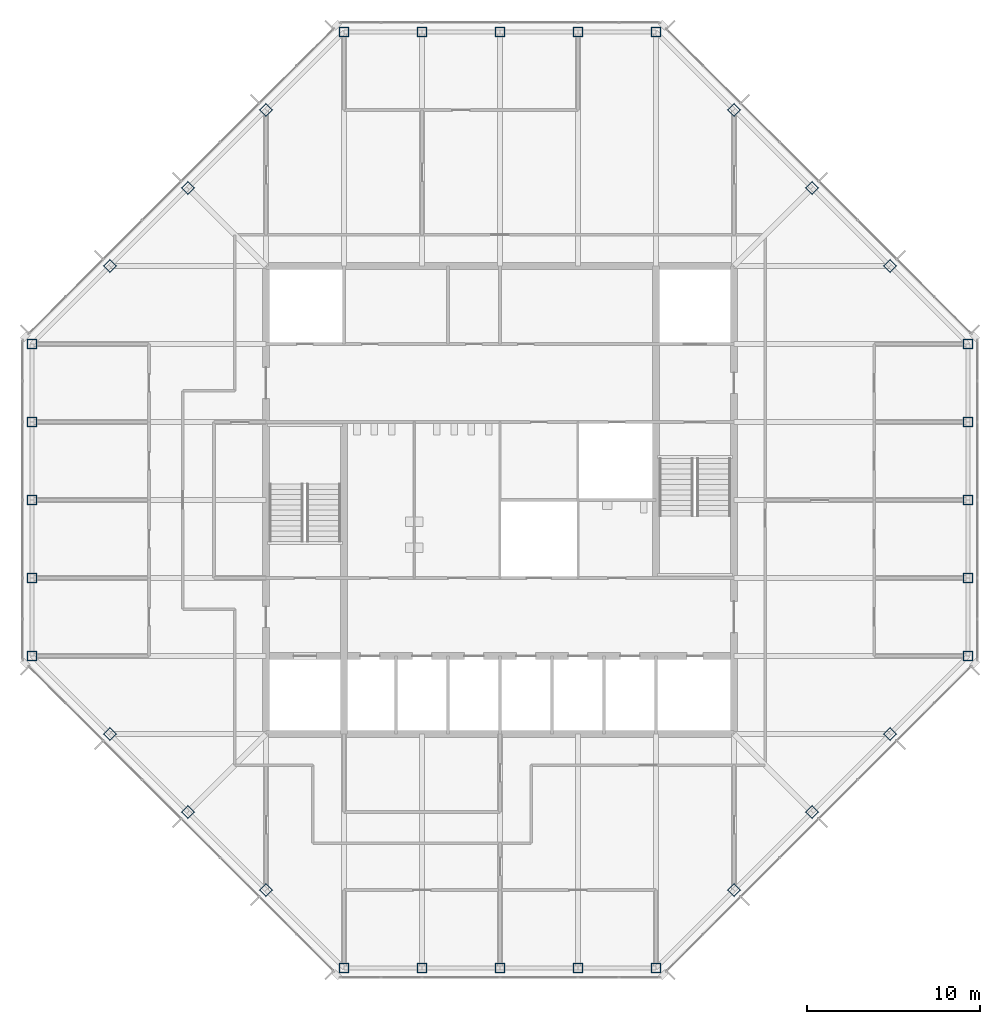
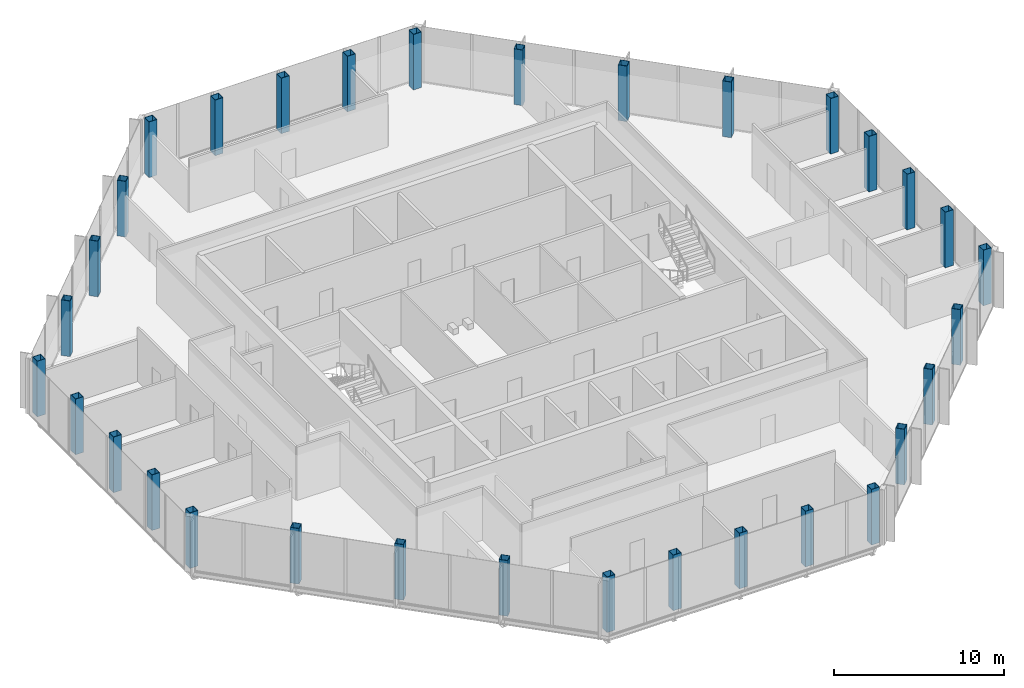
# One storey, part 1 of 14: 32 columns.
"""IFC4 building model written with IfcOpenShell, lengths in metres."""

import ifcopenshell
import ifcopenshell.guid

model = None  # the IFC model being written
_history = None  # IfcOwnerHistory: only IFC2X3 demands one
_inside = {}  # id of a spatial element -> (the spatial element, [elements in it])
_under = {}  # id of a project, library or spatial element -> (it, [spatial elements below it])
_declared = {}  # id of a project -> (the project, [libraries it declares])
_typed = {}  # id of a type object -> (the type object, [elements of that type])
_made_of = {}  # id of a material, layer set ... -> (it, [elements and type objects made of it])


def new_model(schema):
    """Start an empty IFC model of exactly this schema.

    Asked for "IFC4X3", IfcOpenShell would pick the latest addendum, in which some entities
    have other attributes; the version numbers below select the first issue.
    IFC2X3 requires an IfcOwnerHistory on every rooted entity: one is made here for all.
    """
    global model, _history
    if schema == "IFC4X3":
        model = ifcopenshell.file(schema_version=(4, 3, 0, 0))
    else:
        model = ifcopenshell.file(schema=schema)
    _inside.clear()
    _under.clear()
    _declared.clear()
    _typed.clear()
    _made_of.clear()
    _history = None
    if model.schema == "IFC2X3":
        org = make("IfcOrganization", Name="unknown")
        user = make(
            "IfcPersonAndOrganization",
            ThePerson=make("IfcPerson", FamilyName="unknown"),
            TheOrganization=org,
        )
        app = make(
            "IfcApplication",
            ApplicationDeveloper=org,
            Version="unknown",
            ApplicationFullName="unknown",
            ApplicationIdentifier="unknown",
        )
        _history = make(
            "IfcOwnerHistory",
            OwningUser=user,
            OwningApplication=app,
            ChangeAction="ADDED",
            CreationDate=0,
        )
    return model


def make(cls, **values):
    """One entity of the class cls with the attributes given. An attribute that is None is left unset."""
    return model.create_entity(
        cls, **{name: value for name, value in values.items() if value is not None}
    )


def rooted(cls, **values):
    """An entity with a GlobalId (a new one), such as an element, a storey or a relation."""
    return make(cls, GlobalId=ifcopenshell.guid.new(), OwnerHistory=_history, **values)


def si_unit(unit_type, name, prefix=None):
    """IfcSIUnit, for example si_unit("LENGTHUNIT", "METRE", prefix="MILLI")."""
    return make("IfcSIUnit", UnitType=unit_type, Prefix=prefix, Name=name)


def assignment(units):
    """IfcUnitAssignment: the units of a project."""
    return None if units is None else make("IfcUnitAssignment", Units=units)


def point(xyz):
    """IfcCartesianPoint."""
    return None if xyz is None else make("IfcCartesianPoint", Coordinates=xyz)


def direction(xyz):
    """IfcDirection."""
    return None if xyz is None else make("IfcDirection", DirectionRatios=xyz)


def frame(location, z_axis=None, x_axis=None):
    """IfcAxis2Placement3D, a coordinate frame: its origin and axes. An axis left out is left unset."""
    return make(
        "IfcAxis2Placement3D",
        Location=point(location),
        Axis=direction(z_axis),
        RefDirection=direction(x_axis),
    )


def frame_2d(location, x_axis=None):
    """IfcAxis2Placement2D, a coordinate frame in the plane: its origin and x axis."""
    return make(
        "IfcAxis2Placement2D", Location=point(location), RefDirection=direction(x_axis)
    )


def origin():
    """The frame at (0, 0, 0) with its axes left unset."""
    return frame((0.0, 0.0, 0.0))


def origin_2d():
    """The frame at (0, 0) in the plane with its x axis left unset."""
    return frame_2d((0.0, 0.0))


def place(relative_to, where):
    """IfcLocalPlacement: puts the frame where relative to a parent placement (None: the world)."""
    return make(
        "IfcLocalPlacement", PlacementRelTo=relative_to, RelativePlacement=where
    )


def context(
    kind, dimensions, precision=None, world=None, true_north=None, identifier=None
):
    """IfcGeometricRepresentationContext, for example the 3D "Model" context."""
    return make(
        "IfcGeometricRepresentationContext",
        ContextIdentifier=identifier,
        ContextType=kind,
        CoordinateSpaceDimension=dimensions,
        Precision=precision,
        WorldCoordinateSystem=world,
        TrueNorth=true_north,
    )


def subcontext(parent, identifier, kind, view, scale=None):
    """IfcGeometricRepresentationSubContext, for example "Body" below "Model"."""
    return make(
        "IfcGeometricRepresentationSubContext",
        ContextIdentifier=identifier,
        ContextType=kind,
        ParentContext=parent,
        TargetScale=scale,
        TargetView=view,
    )


def project(units=None, contexts=None):
    """IfcProject with its units and contexts."""
    return rooted(
        "IfcProject",
        Name="project",
        RepresentationContexts=contexts,
        UnitsInContext=assignment(units),
    )


def spatial(cls, under=None, at=None, **own):
    """A site, building, storey or space (cls), placed at a placement, below another one or the project."""
    s = rooted(cls, ObjectPlacement=at, **own)
    if under is not None:
        _under.setdefault(under.id(), (under, []))[1].append(s)
    return s


def profile(cls, at=None, kind="AREA", **sizes):
    """A parametric profile (cls). Its sizes go by their IFC names, for example OverallWidth=200.0."""
    return make(cls, ProfileType=kind, Position=at, **sizes)


def hollow_rectangle(**sizes):
    """IfcRectangleHollowProfileDef."""
    return profile("IfcRectangleHollowProfileDef", **sizes)


def extrude(swept, where, along, depth):
    """IfcExtrudedAreaSolid: the profile swept, set in the frame where, extruded along a direction by depth."""
    return make(
        "IfcExtrudedAreaSolid",
        SweptArea=swept,
        Position=where,
        ExtrudedDirection=direction(along),
        Depth=depth,
    )


def shape(context_of_items, identifier, shape_type, items):
    """IfcShapeRepresentation: the items that make up one representation, for example the "Body"."""
    return make(
        "IfcShapeRepresentation",
        ContextOfItems=context_of_items,
        RepresentationIdentifier=identifier,
        RepresentationType=shape_type,
        Items=items,
    )


def material(Name=None, Category=None):
    """IfcMaterial."""
    return make("IfcMaterial", Name=Name, Category=Category)


def material_profile(
    of_material, cross_section, Name=None, Category=None, Priority=None
):
    """IfcMaterialProfile: a cross section and its material."""
    return make(
        "IfcMaterialProfile",
        Name=Name,
        Material=of_material,
        Profile=cross_section,
        Priority=Priority,
        Category=Category,
    )


def profile_set(profiles, Name=None, composite=None):
    """IfcMaterialProfileSet."""
    return make(
        "IfcMaterialProfileSet",
        Name=Name,
        MaterialProfiles=profiles,
        CompositeProfile=composite,
    )


def made_of(thing, what):
    """Note that an element or type object is made of a material, layer set ...; save() writes the relation."""
    if what is not None:
        _made_of.setdefault(what.id(), (what, []))[1].append(thing)
    return thing


def type_object(cls, material=None, **own):
    """A type object (cls), such as IfcWallType, which elements share."""
    return made_of(rooted(cls, **own), material)


def element(
    cls,
    number,
    at=None,
    inside=None,
    cuts=None,
    type_object=None,
    material=None,
    context=None,
    identifier="Body",
    shape_type=None,
    held_by="IfcProductDefinitionShape",
    body=None,
    shapes=None,
    **own,
):
    """One element of the class cls, such as IfcWall. Its Tag is "e" and its number.

    at: its placement. inside: the storey or other place that contains it. cuts: it is an
    opening in that element (IfcRelVoidsElement). A single representation is given by context,
    identifier, shape_type and body (its items); several are given by shapes. held_by: the class
    of the entity that holds the representations. save() writes the other relations.
    """
    e = rooted(cls, Tag="e%d" % number, ObjectPlacement=at, **own)
    if body is not None:
        shapes = [shape(context, identifier, shape_type, body)]
    if shapes is not None:
        e.Representation = make(held_by, Representations=shapes)
    if inside is not None:
        _inside.setdefault(inside.id(), (inside, []))[1].append(e)
    if cuts is not None:
        rooted(
            "IfcRelVoidsElement", RelatingBuildingElement=cuts, RelatedOpeningElement=e
        )
    if type_object is not None:
        _typed.setdefault(type_object.id(), (type_object, []))[1].append(e)
    return made_of(e, material)


def aggregate(whole, parts):
    """IfcRelAggregates: a whole, such as a stair, and the parts it consists of."""
    return rooted("IfcRelAggregates", RelatingObject=whole, RelatedObjects=parts)


def save(model, path):
    """Write the relations noted so far, then the file.

    IfcRelAggregates (storeys below a building ...), IfcRelContainedInSpatialStructure (elements
    in a storey), IfcRelDefinesByType, IfcRelAssociatesMaterial and IfcRelDeclares: one each for
    every whole, place, type object, material and project.
    """
    for whole, parts in _under.values():
        aggregate(whole, parts)
    for where, things in _inside.values():
        rooted(
            "IfcRelContainedInSpatialStructure",
            RelatedElements=things,
            RelatingStructure=where,
        )
    for kind, things in _typed.values():
        rooted("IfcRelDefinesByType", RelatedObjects=things, RelatingType=kind)
    for what, things in _made_of.values():
        rooted("IfcRelAssociatesMaterial", RelatedObjects=things, RelatingMaterial=what)
    for by, libraries in _declared.values():
        rooted("IfcRelDeclares", RelatingContext=by, RelatedDefinitions=libraries)
    model.write(path)


model = new_model("IFC4")

# Units and contexts
model_context = context("Model", 3, precision=1e-05, world=origin(), true_north=direction((0.0, 1.0)))
body_context = subcontext(model_context, "Body", "Model", "MODEL_VIEW")
ifc_project = project(units=[si_unit("LENGTHUNIT", "METRE"), si_unit("AREAUNIT", "SQUARE_METRE"), si_unit("VOLUMEUNIT", "CUBIC_METRE"), si_unit("PLANEANGLEUNIT", "RADIAN"), si_unit("MASSUNIT", "GRAM", prefix="KILO")], contexts=[model_context])

# Site, building, storey
site_placement = place(None, origin())
site = spatial("IfcSite", under=ifc_project, at=site_placement, CompositionType="ELEMENT")
building_placement = place(site_placement, origin())
building = spatial("IfcBuilding", under=site, at=building_placement, Name="Corais Broadcast Tower", CompositionType="ELEMENT")
storey_placement = place(building_placement, frame((0.0, 0.0, 294.60009765625)))
storey = spatial("IfcBuildingStorey", under=building, at=storey_placement, Name="L69", CompositionType="ELEMENT", Elevation=294.60009765625)

# Columns
ifc_material = material(Name="Steel ASTM A572 Grade 50", Category="steel")
ifc_material_profile = material_profile(ifc_material, hollow_rectangle(XDim=0.550048828125, YDim=0.550048828125, WallThickness=0.02490234375, at=origin_2d()), Name="BOX 550x550x25")
ifc_profile_set = profile_set([ifc_material_profile], Name="Steel ASTM A572 Grade 50")
column_type = type_object("IfcColumnType", Name="Column BOX 550x550x25", PredefinedType="COLUMN", material=ifc_profile_set)
for number, where, z_axis, x_axis, name in (
    (1, (18.0, 0.0, 0.0), (0.0, 0.0, 1.0), (1.0, 0.0, 0.0), "C8 A/7"),
    (2, (22.5, 0.0, 0.0), (0.0, 0.0, 1.0), (1.0, 0.0, 0.0), "C8 A/8"),
    (3, (27.0, 0.0, 0.0), (0.0, 0.0, 1.0), (1.0, 0.0, 0.0), "C8 A/9"),
    (4, (31.5, 0.0, 0.0), (0.0, 0.0, 1.0), (1.0, 0.0, 0.0), "C8 A/10"),
    (5, (36.0, 0.0, 0.0), (0.0, 0.0, 1.0), (1.0, 0.0, 0.0), "C8 A/11"),
    (6, (54.0, 18.0, 0.0), (0.0, 0.0, 1.0), (1.0, 0.0, 0.0), "C8 E/15"),
    (7, (54.0, 22.5, 0.0), (0.0, 0.0, 1.0), (1.0, 0.0, 0.0), "C8 F/15"),
    (8, (54.0, 27.0, 0.0), (0.0, 0.0, 1.0), (1.0, 0.0, 0.0), "C8 G/15"),
    (9, (54.0, 31.5, 0.0), (0.0, 0.0, 1.0), (1.0, 0.0, 0.0), "C8 H/15"),
    (10, (54.0, 36.0, 0.0), (0.0, 0.0, 1.0), (1.0, 0.0, 0.0), "C8 J/15"),
    (11, (36.0, 54.0, 0.0), (0.0, 0.0, 1.0), (1.0, 0.0, 0.0), "C8 N/11"),
    (12, (31.5, 54.0, 0.0), (0.0, 0.0, 1.0), (1.0, 0.0, 0.0), "C8 N/10"),
    (13, (27.0, 54.0, 0.0), (0.0, 0.0, 1.0), (1.0, 0.0, 0.0), "C8 N/9"),
    (14, (22.5, 54.0, 0.0), (0.0, 0.0, 1.0), (1.0, 0.0, 0.0), "C8 N/8"),
    (15, (18.0, 54.0, 0.0), (0.0, 0.0, 1.0), (1.0, 0.0, 0.0), "C8 N/7"),
    (16, (0.0, 36.0, 0.0), (0.0, 0.0, 1.0), (1.0, 0.0, 0.0), "C8 J/3"),
    (17, (0.0, 31.5, 0.0), (0.0, 0.0, 1.0), (1.0, 0.0, 0.0), "C8 H/3"),
    (18, (0.0, 27.0, 0.0), (0.0, 0.0, 1.0), (1.0, 0.0, 0.0), "C8 G/3"),
    (19, (0.0, 22.5, 0.0), (0.0, 0.0, 1.0), (1.0, 0.0, 0.0), "C8 F/3"),
    (20, (0.0, 18.0, 0.0), (0.0, 0.0, 1.0), (1.0, 0.0, 0.0), "C8 E/3"),
    (21, (13.5, 4.5, 0.0), (0.0, 0.0, 1.0), (0.707106781187, 0.707106781187, 0.0), "C8 B/6"),
    (22, (9.0, 9.0, 0.0), (0.0, 0.0, 1.0), (0.707106781187, 0.707106781187, 0.0), "C8 C/5"),
    (23, (4.5, 13.5, 0.0), (0.0, 0.0, 1.0), (0.707106781187, 0.707106781187, 0.0), "C8 D/4"),
    (24, (40.5, 4.5, 0.0), (0.0, 0.0, 1.0), (0.707106781187, 0.707106781187, 0.0), "C8 B/12"),
    (25, (45.0, 9.0, 0.0), (0.0, 0.0, 1.0), (0.707106781187, 0.707106781187, 0.0), "C8 C/13"),
    (26, (49.5, 13.5, 0.0), (0.0, 0.0, 1.0), (0.707106781187, 0.707106781187, 0.0), "C8 D/14"),
    (27, (49.5, 40.5, 0.0), (0.0, 0.0, 1.0), (0.707106781187, 0.707106781187, 0.0), "C8 K/14"),
    (28, (45.0, 45.0, 0.0), (0.0, 0.0, 1.0), (0.707106781187, 0.707106781187, 0.0), "C8 L/13"),
    (29, (40.5, 49.5, 0.0), (0.0, 0.0, 1.0), (0.707106781187, 0.707106781187, 0.0), "C8 M/12"),
    (30, (4.5, 40.5, 0.0), (0.0, 0.0, 1.0), (0.707106781187, 0.707106781187, 0.0), "C8 K/4"),
    (31, (9.0, 45.0, 0.0), (0.0, 0.0, 1.0), (0.707106781187, 0.707106781187, 0.0), "C8 L/5"),
    (32, (13.5, 49.5, 0.0), (0.0, 0.0, 1.0), (0.707106781187, 0.707106781187, 0.0), "C8 M/6"),
):
    element("IfcColumn", number, at=place(storey_placement, frame(where, z_axis=z_axis, x_axis=x_axis)), inside=storey, type_object=column_type, Name=name, PredefinedType="COLUMN", context=body_context, shape_type="SweptSolid", body=[
        extrude(hollow_rectangle(XDim=0.550048828125, YDim=0.550048828125, WallThickness=0.02490234375, at=origin_2d()), origin(), (0.0, 0.0, 1.0), 4.0),
    ])

save(model, "model.ifc")
